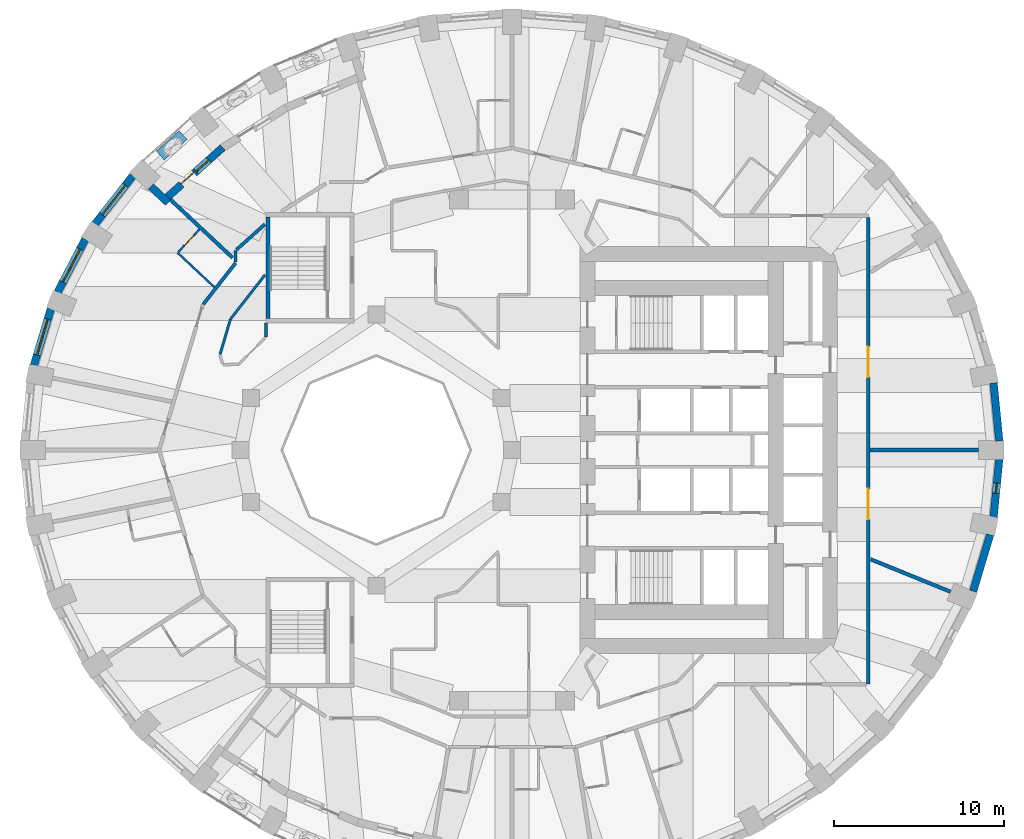
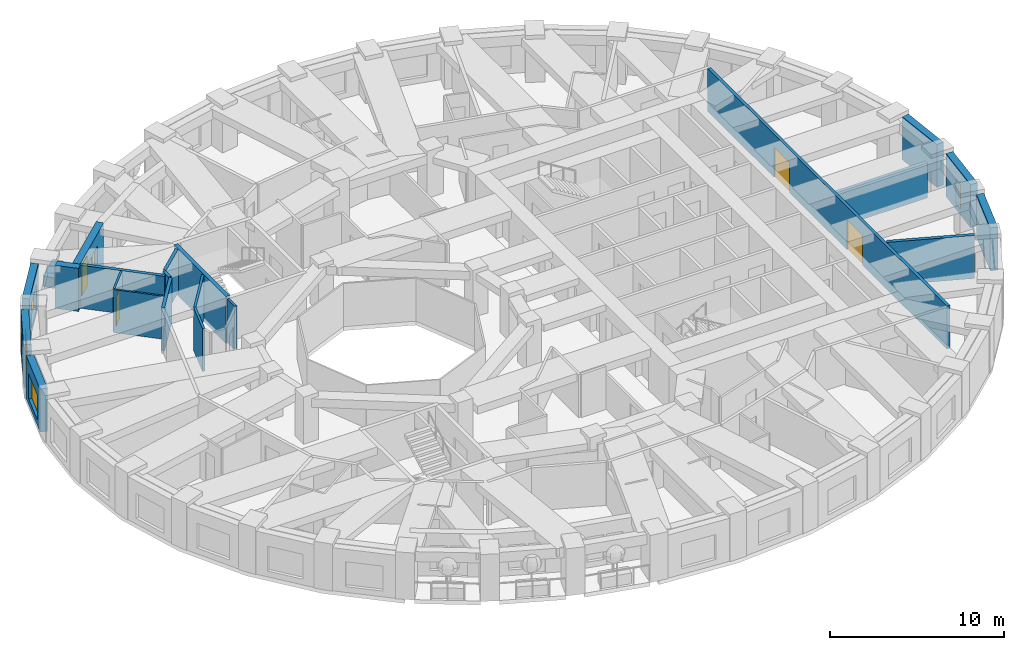
# One storey, part 7 of 13: 22 walls, 5 windows, 4 doors, 9 openings.
"""IFC4 building model written with IfcOpenShell, lengths in metres."""

import ifcopenshell
import ifcopenshell.guid

model = None  # the IFC model being written
_history = None  # IfcOwnerHistory: only IFC2X3 demands one
_inside = {}  # id of a spatial element -> (the spatial element, [elements in it])
_under = {}  # id of a project, library or spatial element -> (it, [spatial elements below it])
_declared = {}  # id of a project -> (the project, [libraries it declares])
_typed = {}  # id of a type object -> (the type object, [elements of that type])
_made_of = {}  # id of a material, layer set ... -> (it, [elements and type objects made of it])


def new_model(schema):
    """Start an empty IFC model of exactly this schema.

    Asked for "IFC4X3", IfcOpenShell would pick the latest addendum, in which some entities
    have other attributes; the version numbers below select the first issue.
    IFC2X3 requires an IfcOwnerHistory on every rooted entity: one is made here for all.
    """
    global model, _history
    if schema == "IFC4X3":
        model = ifcopenshell.file(schema_version=(4, 3, 0, 0))
    else:
        model = ifcopenshell.file(schema=schema)
    _inside.clear()
    _under.clear()
    _declared.clear()
    _typed.clear()
    _made_of.clear()
    _history = None
    if model.schema == "IFC2X3":
        org = make("IfcOrganization", Name="unknown")
        user = make(
            "IfcPersonAndOrganization",
            ThePerson=make("IfcPerson", FamilyName="unknown"),
            TheOrganization=org,
        )
        app = make(
            "IfcApplication",
            ApplicationDeveloper=org,
            Version="unknown",
            ApplicationFullName="unknown",
            ApplicationIdentifier="unknown",
        )
        _history = make(
            "IfcOwnerHistory",
            OwningUser=user,
            OwningApplication=app,
            ChangeAction="ADDED",
            CreationDate=0,
        )
    return model


def make(cls, **values):
    """One entity of the class cls with the attributes given. An attribute that is None is left unset."""
    return model.create_entity(
        cls, **{name: value for name, value in values.items() if value is not None}
    )


def rooted(cls, **values):
    """An entity with a GlobalId (a new one), such as an element, a storey or a relation."""
    return make(cls, GlobalId=ifcopenshell.guid.new(), OwnerHistory=_history, **values)


def si_unit(unit_type, name, prefix=None):
    """IfcSIUnit, for example si_unit("LENGTHUNIT", "METRE", prefix="MILLI")."""
    return make("IfcSIUnit", UnitType=unit_type, Prefix=prefix, Name=name)


def assignment(units):
    """IfcUnitAssignment: the units of a project."""
    return None if units is None else make("IfcUnitAssignment", Units=units)


def point(xyz):
    """IfcCartesianPoint."""
    return None if xyz is None else make("IfcCartesianPoint", Coordinates=xyz)


def direction(xyz):
    """IfcDirection."""
    return None if xyz is None else make("IfcDirection", DirectionRatios=xyz)


def frame(location, z_axis=None, x_axis=None):
    """IfcAxis2Placement3D, a coordinate frame: its origin and axes. An axis left out is left unset."""
    return make(
        "IfcAxis2Placement3D",
        Location=point(location),
        Axis=direction(z_axis),
        RefDirection=direction(x_axis),
    )


def frame_2d(location, x_axis=None):
    """IfcAxis2Placement2D, a coordinate frame in the plane: its origin and x axis."""
    return make(
        "IfcAxis2Placement2D", Location=point(location), RefDirection=direction(x_axis)
    )


def origin():
    """The frame at (0, 0, 0) with its axes left unset."""
    return frame((0.0, 0.0, 0.0))


def place(relative_to, where):
    """IfcLocalPlacement: puts the frame where relative to a parent placement (None: the world)."""
    return make(
        "IfcLocalPlacement", PlacementRelTo=relative_to, RelativePlacement=where
    )


def context(
    kind, dimensions, precision=None, world=None, true_north=None, identifier=None
):
    """IfcGeometricRepresentationContext, for example the 3D "Model" context."""
    return make(
        "IfcGeometricRepresentationContext",
        ContextIdentifier=identifier,
        ContextType=kind,
        CoordinateSpaceDimension=dimensions,
        Precision=precision,
        WorldCoordinateSystem=world,
        TrueNorth=true_north,
    )


def subcontext(parent, identifier, kind, view, scale=None):
    """IfcGeometricRepresentationSubContext, for example "Body" below "Model"."""
    return make(
        "IfcGeometricRepresentationSubContext",
        ContextIdentifier=identifier,
        ContextType=kind,
        ParentContext=parent,
        TargetScale=scale,
        TargetView=view,
    )


def project(units=None, contexts=None):
    """IfcProject with its units and contexts."""
    return rooted(
        "IfcProject",
        Name="project",
        RepresentationContexts=contexts,
        UnitsInContext=assignment(units),
    )


def spatial(cls, under=None, at=None, **own):
    """A site, building, storey or space (cls), placed at a placement, below another one or the project."""
    s = rooted(cls, ObjectPlacement=at, **own)
    if under is not None:
        _under.setdefault(under.id(), (under, []))[1].append(s)
    return s


def profile(cls, at=None, kind="AREA", **sizes):
    """A parametric profile (cls). Its sizes go by their IFC names, for example OverallWidth=200.0."""
    return make(cls, ProfileType=kind, Position=at, **sizes)


def rectangle(**sizes):
    """IfcRectangleProfileDef."""
    return profile("IfcRectangleProfileDef", **sizes)


def extrude(swept, where, along, depth):
    """IfcExtrudedAreaSolid: the profile swept, set in the frame where, extruded along a direction by depth."""
    return make(
        "IfcExtrudedAreaSolid",
        SweptArea=swept,
        Position=where,
        ExtrudedDirection=direction(along),
        Depth=depth,
    )


def shape(context_of_items, identifier, shape_type, items):
    """IfcShapeRepresentation: the items that make up one representation, for example the "Body"."""
    return make(
        "IfcShapeRepresentation",
        ContextOfItems=context_of_items,
        RepresentationIdentifier=identifier,
        RepresentationType=shape_type,
        Items=items,
    )


def material(Name=None, Category=None):
    """IfcMaterial."""
    return make("IfcMaterial", Name=Name, Category=Category)


def layer(
    of_material, thickness, ventilated=None, Name=None, Category=None, Priority=None
):
    """IfcMaterialLayer: one layer of a wall or slab, of a material (None: an air gap)."""
    return make(
        "IfcMaterialLayer",
        Material=of_material,
        LayerThickness=thickness,
        IsVentilated=ventilated,
        Name=Name,
        Category=Category,
        Priority=Priority,
    )


def layer_set(layers, Name=None):
    """IfcMaterialLayerSet."""
    return make("IfcMaterialLayerSet", MaterialLayers=layers, LayerSetName=Name)


def constituent(of_material, Name=None, Category=None, fraction=None):
    """IfcMaterialConstituent: one of the materials an element consists of."""
    return make(
        "IfcMaterialConstituent",
        Name=Name,
        Material=of_material,
        Fraction=fraction,
        Category=Category,
    )


def constituent_set(constituents=None, Name=None):
    """IfcMaterialConstituentSet."""
    return make(
        "IfcMaterialConstituentSet", Name=Name, MaterialConstituents=constituents
    )


def made_of(thing, what):
    """Note that an element or type object is made of a material, layer set ...; save() writes the relation."""
    if what is not None:
        _made_of.setdefault(what.id(), (what, []))[1].append(thing)
    return thing


def type_object(cls, material=None, **own):
    """A type object (cls), such as IfcWallType, which elements share."""
    return made_of(rooted(cls, **own), material)


def element(
    cls,
    number,
    at=None,
    inside=None,
    cuts=None,
    type_object=None,
    material=None,
    context=None,
    identifier="Body",
    shape_type=None,
    held_by="IfcProductDefinitionShape",
    body=None,
    shapes=None,
    **own,
):
    """One element of the class cls, such as IfcWall. Its Tag is "e" and its number.

    at: its placement. inside: the storey or other place that contains it. cuts: it is an
    opening in that element (IfcRelVoidsElement). A single representation is given by context,
    identifier, shape_type and body (its items); several are given by shapes. held_by: the class
    of the entity that holds the representations. save() writes the other relations.
    """
    e = rooted(cls, Tag="e%d" % number, ObjectPlacement=at, **own)
    if body is not None:
        shapes = [shape(context, identifier, shape_type, body)]
    if shapes is not None:
        e.Representation = make(held_by, Representations=shapes)
    if inside is not None:
        _inside.setdefault(inside.id(), (inside, []))[1].append(e)
    if cuts is not None:
        rooted(
            "IfcRelVoidsElement", RelatingBuildingElement=cuts, RelatedOpeningElement=e
        )
    if type_object is not None:
        _typed.setdefault(type_object.id(), (type_object, []))[1].append(e)
    return made_of(e, material)


def fill(opening, filler):
    """IfcRelFillsElement: the door or window that sits in an opening."""
    return rooted(
        "IfcRelFillsElement",
        RelatingOpeningElement=opening,
        RelatedBuildingElement=filler,
    )


def aggregate(whole, parts):
    """IfcRelAggregates: a whole, such as a stair, and the parts it consists of."""
    return rooted("IfcRelAggregates", RelatingObject=whole, RelatedObjects=parts)


def save(model, path):
    """Write the relations noted so far, then the file.

    IfcRelAggregates (storeys below a building ...), IfcRelContainedInSpatialStructure (elements
    in a storey), IfcRelDefinesByType, IfcRelAssociatesMaterial and IfcRelDeclares: one each for
    every whole, place, type object, material and project.
    """
    for whole, parts in _under.values():
        aggregate(whole, parts)
    for where, things in _inside.values():
        rooted(
            "IfcRelContainedInSpatialStructure",
            RelatedElements=things,
            RelatingStructure=where,
        )
    for kind, things in _typed.values():
        rooted("IfcRelDefinesByType", RelatedObjects=things, RelatingType=kind)
    for what, things in _made_of.values():
        rooted("IfcRelAssociatesMaterial", RelatedObjects=things, RelatingMaterial=what)
    for by, libraries in _declared.values():
        rooted("IfcRelDeclares", RelatingContext=by, RelatedDefinitions=libraries)
    model.write(path)


model = new_model("IFC4")

# Units and contexts
model_context = context("Model", 3, precision=1e-05, world=origin(), true_north=direction((0.0, 1.0)))
body_context = subcontext(model_context, "Body", "Model", "MODEL_VIEW")
ifc_project = project(units=[si_unit("LENGTHUNIT", "METRE"), si_unit("AREAUNIT", "SQUARE_METRE"), si_unit("VOLUMEUNIT", "CUBIC_METRE"), si_unit("PLANEANGLEUNIT", "RADIAN"), si_unit("MASSUNIT", "GRAM", prefix="KILO")], contexts=[model_context])

# Site, building, storey
site_placement = place(None, origin())
site = spatial("IfcSite", under=ifc_project, at=site_placement, CompositionType="ELEMENT")
building_placement = place(site_placement, origin())
building = spatial("IfcBuilding", under=site, at=building_placement, Name="Taillehof Tower", CompositionType="ELEMENT")
storey_placement = place(building_placement, frame((0.0, 0.0, 41.5)))
storey = spatial("IfcBuildingStorey", under=building, at=storey_placement, Name="L10", CompositionType="ELEMENT", Elevation=41.5)

# Wall
ifc_material_1 = material(Name="Brick masonry", Category="masonry")
ifc_layer_1 = layer(ifc_material_1, 0.449951171875)
ifc_layer_set_1 = layer_set([ifc_layer_1], Name="Brick infill wall 450")
wall_type_1 = type_object("IfcWallType", Name="Brick infill wall 450", PredefinedType="SOLIDWALL", material=ifc_layer_set_1)
wall_1_placement = place(storey_placement, frame((28.721923828125, 0.530029296875, 0.0), z_axis=(0.0, 0.0, 1.0), x_axis=(-0.097389581596, 0.995246336038, 0.0)))
element("IfcWall", 1, at=wall_1_placement, inside=storey, type_object=wall_type_1, Name="Brick wall L10 bay 1", PredefinedType="SOLIDWALL", context=body_context, shape_type="SweptSolid", body=[
    extrude(rectangle(XDim=3.44189453125, YDim=0.449951171875, at=frame_2d((1.720947265625, 0.0))), origin(), (0.0, 0.0, 1.0), 3.02001953125),
])

# Wall, opening, window
wall_2_placement = place(storey_placement, frame((-22.3515625, 16.169677734375, 0.0), z_axis=(0.0, 0.0, 1.0), x_axis=(-0.616661975264, -0.787228053529, 0.0)))
wall_2 = element("IfcWall", 2, at=wall_2_placement, inside=storey, type_object=wall_type_1, Name="Brick wall L10 bay 15", PredefinedType="SOLIDWALL", context=body_context, shape_type="SweptSolid", body=[
    extrude(rectangle(XDim=3.60986328125, YDim=0.449951171875, at=frame_2d((1.804931640625, 0.0))), origin(), (0.0, 0.0, 1.0), 3.02001953125),
])
opening_1_placement = place(wall_2_placement, frame((0.704833984375, 0.0, 0.39990234375)))
opening_1 = element("IfcOpeningElement", 3, at=opening_1_placement, cuts=wall_2, Name="Opening W1", PredefinedType="OPENING", context=body_context, shape_type="SweptSolid", body=[
    extrude(rectangle(XDim=2.199951171875, YDim=1.75, at=frame_2d((1.10009765625, 0.875))), frame((0.0, 0.23486328125, 0.0), z_axis=(0.0, -1.0, 0.0), x_axis=(1.0, 0.0, 0.0)), (0.0, 0.0, 1.0), 0.469970703125),
])
ifc_material_2 = material(Name="Aluminium window frame with clear double glazing", Category="aluminium")
window_type_1 = type_object("IfcWindowType", Name="Deep-set window 2200x1750", PartitioningType="SINGLE_PANEL", PredefinedType="WINDOW", material=ifc_material_2)
window_1_placement = place(opening_1_placement, origin())
window_1 = element("IfcWindow", 4, at=window_1_placement, inside=storey, type_object=window_type_1, Name="W1", OverallHeight=1.75, OverallWidth=2.199951171875, PartitioningType="SINGLE_PANEL", PredefinedType="WINDOW", context=body_context, shape_type="SweptSolid", body=[
    extrude(rectangle(XDim=2.199951171875, YDim=1.75, at=frame_2d((1.10009765625, 0.875))), frame((0.0, 0.034912109375, 0.0), z_axis=(0.0, -1.0, 0.0), x_axis=(1.0, 0.0, 0.0)), (0.0, 0.0, 1.0), 0.06005859375),
])
fill(opening_1, window_1)

wall_3_placement = place(storey_placement, frame((-25.152099609375, 12.436767578125, 0.0), z_axis=(0.0, 0.0, 1.0), x_axis=(-0.462492775226, -0.886623050041, 0.0)))
wall_3 = element("IfcWall", 5, at=wall_3_placement, inside=storey, type_object=wall_type_1, Name="Brick wall L10 bay 16", PredefinedType="SOLIDWALL", context=body_context, shape_type="SweptSolid", body=[
    extrude(rectangle(XDim=3.531982421875, YDim=0.449951171875, at=frame_2d((1.76611328125, 0.0))), origin(), (0.0, 0.0, 1.0), 3.02001953125),
])
opening_2_placement = place(wall_3_placement, frame((0.666015625, 0.0, 0.39990234375)))
opening_2 = element("IfcOpeningElement", 6, at=opening_2_placement, cuts=wall_3, Name="Opening W1", PredefinedType="OPENING", context=body_context, shape_type="SweptSolid", body=[
    extrude(rectangle(XDim=2.199951171875, YDim=1.75, at=frame_2d((1.10009765625, 0.875))), frame((0.0, 0.23486328125, 0.0), z_axis=(0.0, -1.0, 0.0), x_axis=(1.0, 0.0, 0.0)), (0.0, 0.0, 1.0), 0.469970703125),
])
window_2_placement = place(opening_2_placement, origin())
window_2 = element("IfcWindow", 7, at=window_2_placement, inside=storey, type_object=window_type_1, Name="W1", OverallHeight=1.75, OverallWidth=2.199951171875, PartitioningType="SINGLE_PANEL", PredefinedType="WINDOW", context=body_context, shape_type="SweptSolid", body=[
    extrude(rectangle(XDim=2.199951171875, YDim=1.75, at=frame_2d((1.10009765625, 0.875))), frame((0.0, 0.034912109375, 0.0), z_axis=(0.0, -1.0, 0.0), x_axis=(1.0, 0.0, 0.0)), (0.0, 0.0, 1.0), 0.06005859375),
])
fill(opening_2, window_2)

wall_4_placement = place(storey_placement, frame((-27.184814453125, 8.322998046875, 0.0), z_axis=(0.0, 0.0, 1.0), x_axis=(-0.287064133733, -0.957911364963, 0.0)))
wall_4 = element("IfcWall", 8, at=wall_4_placement, inside=storey, type_object=wall_type_1, Name="Brick wall L10 bay 17", PredefinedType="SOLIDWALL", context=body_context, shape_type="SweptSolid", body=[
    extrude(rectangle(XDim=3.473388671875, YDim=0.449951171875, at=frame_2d((1.73681640625, 0.0))), origin(), (0.0, 0.0, 1.0), 3.02001953125),
])
opening_3_placement = place(wall_4_placement, frame((0.63671875, 0.0, 0.39990234375)))
opening_3 = element("IfcOpeningElement", 9, at=opening_3_placement, cuts=wall_4, Name="Opening W1", PredefinedType="OPENING", context=body_context, shape_type="SweptSolid", body=[
    extrude(rectangle(XDim=2.199951171875, YDim=1.75, at=frame_2d((1.10009765625, 0.875))), frame((0.0, 0.23486328125, 0.0), z_axis=(0.0, -1.0, 0.0), x_axis=(1.0, 0.0, 0.0)), (0.0, 0.0, 1.0), 0.469970703125),
])
window_3_placement = place(opening_3_placement, origin())
window_3 = element("IfcWindow", 10, at=window_3_placement, inside=storey, type_object=window_type_1, Name="W1", OverallHeight=1.75, OverallWidth=2.199951171875, PartitioningType="SINGLE_PANEL", PredefinedType="WINDOW", context=body_context, shape_type="SweptSolid", body=[
    extrude(rectangle(XDim=2.199951171875, YDim=1.75, at=frame_2d((1.10009765625, 0.875))), frame((0.0, 0.034912109375, 0.0), z_axis=(0.0, -1.0, 0.0), x_axis=(1.0, 0.0, 0.0)), (0.0, 0.0, 1.0), 0.06005859375),
])
fill(opening_3, window_3)

# Wall
wall_5_placement = place(storey_placement, frame((27.184814453125, -8.322998046875, 0.0), z_axis=(0.0, 0.0, 1.0), x_axis=(0.287064133733, 0.957911364963, 0.0)))
element("IfcWall", 11, at=wall_5_placement, inside=storey, type_object=wall_type_1, Name="Brick wall L10 bay 35", PredefinedType="SOLIDWALL", context=body_context, shape_type="SweptSolid", body=[
    extrude(rectangle(XDim=3.473388671875, YDim=0.449951171875, at=frame_2d((1.73681640625, 0.0))), origin(), (0.0, 0.0, 1.0), 3.02001953125),
])

# Wall, opening, window
wall_6_placement = place(storey_placement, frame((28.38671875, -3.95556640625, 0.0), z_axis=(0.0, 0.0, 1.0), x_axis=(0.097389581596, 0.995246336038, 0.0)))
wall_6 = element("IfcWall", 12, at=wall_6_placement, inside=storey, type_object=wall_type_1, Name="Brick wall L10 bay 36", PredefinedType="SOLIDWALL", context=body_context, shape_type="SweptSolid", body=[
    extrude(rectangle(XDim=3.44189453125, YDim=0.449951171875, at=frame_2d((1.720947265625, 0.0))), origin(), (0.0, 0.0, 1.0), 3.02001953125),
])
opening_4_placement = place(wall_6_placement, frame((1.4208984375, 0.0, 0.39990234375)))
opening_4 = element("IfcOpeningElement", 13, at=opening_4_placement, cuts=wall_6, Name="Opening W6", PredefinedType="OPENING", context=body_context, shape_type="SweptSolid", body=[
    extrude(rectangle(XDim=0.60009765625, YDim=1.75, at=frame_2d((0.300048828125, 0.875))), frame((0.0, 0.23486328125, 0.0), z_axis=(0.0, -1.0, 0.0), x_axis=(1.0, 0.0, 0.0)), (0.0, 0.0, 1.0), 0.469970703125),
])
ifc_material_3 = material(Name="Aluminium window frame with clear double glazing", Category="aluminium")
window_type_2 = type_object("IfcWindowType", Name="Slot window 600x1750", PartitioningType="SINGLE_PANEL", PredefinedType="WINDOW", material=ifc_material_3)
window_4_placement = place(opening_4_placement, origin())
window_4 = element("IfcWindow", 14, at=window_4_placement, inside=storey, type_object=window_type_2, Name="W6", OverallHeight=1.75, OverallWidth=0.60009765625, PartitioningType="SINGLE_PANEL", PredefinedType="WINDOW", context=body_context, shape_type="SweptSolid", body=[
    extrude(rectangle(XDim=0.60009765625, YDim=1.75, at=frame_2d((0.300048828125, 0.875))), frame((0.0, 0.034912109375, 0.0), z_axis=(0.0, -1.0, 0.0), x_axis=(1.0, 0.0, 0.0)), (0.0, 0.0, 1.0), 0.06005859375),
])
fill(opening_4, window_4)

# Wall
wall_7_placement = place(storey_placement, frame((-21.289306640625, 15.53759765625, 0.0), z_axis=(0.0, 0.0, 1.0), x_axis=(0.730149942784, -0.683286953668, 0.0)))
element("IfcWall", 15, at=wall_7_placement, inside=storey, type_object=wall_type_1, Name="Brick reveal L10 pocket 3", PredefinedType="SOLIDWALL", context=body_context, shape_type="SweptSolid", body=[
    extrude(rectangle(XDim=1.390869140625, YDim=0.449951171875, at=frame_2d((0.6953125, 0.0))), origin(), (0.0, 0.0, 1.0), 3.02001953125),
])

# Wall, openings, door, window
wall_8_placement = place(storey_placement, frame((-17.0478515625, 17.831787109375, 0.0), z_axis=(0.0, 0.0, 1.0), x_axis=(-0.744619286768, -0.667489413978, 0.0)))
wall_8 = element("IfcWall", 16, at=wall_8_placement, inside=storey, type_object=wall_type_1, Name="Brick wall L10 pocket bay 14", PredefinedType="SOLIDWALL", context=body_context, shape_type="SweptSolid", body=[
    extrude(rectangle(XDim=4.364990234375, YDim=0.449951171875, at=frame_2d((2.1826171875, 0.0))), origin(), (0.0, 0.0, 1.0), 3.02001953125),
])
opening_5_placement = place(wall_8_placement, frame((1.107421875, 0.0, 0.39990234375)))
opening_5 = element("IfcOpeningElement", 17, at=opening_5_placement, cuts=wall_8, Name="Opening W5", PredefinedType="OPENING", context=body_context, shape_type="SweptSolid", body=[
    extrude(rectangle(XDim=1.0, YDim=1.75, at=frame_2d((0.5, 0.875))), frame((0.0, 0.23486328125, 0.0), z_axis=(0.0, -1.0, 0.0), x_axis=(1.0, 0.0, 0.0)), (0.0, 0.0, 1.0), 0.469970703125),
])
opening_6_placement = place(wall_8_placement, frame((2.257568359375, 0.0, 0.0)))
opening_6 = element("IfcOpeningElement", 18, at=opening_6_placement, cuts=wall_8, Name="Opening D1096", PredefinedType="OPENING", context=body_context, shape_type="SweptSolid", body=[
    extrude(rectangle(XDim=1.0, YDim=2.14990234375, at=frame_2d((0.5, 1.074951171875))), frame((0.0, 0.23486328125, 0.0), z_axis=(0.0, -1.0, 0.0), x_axis=(1.0, 0.0, 0.0)), (0.0, 0.0, 1.0), 0.469970703125),
])
ifc_material_4 = material(Name="Aluminium door frame with clear double glazing", Category="aluminium")
door_type_1 = type_object("IfcDoorType", Name="Balcony door 1000x2150", OperationType="SINGLE_SWING_RIGHT", PredefinedType="DOOR", material=ifc_material_4)
door_1_placement = place(opening_6_placement, frame((1.0, 0.0, 0.0), z_axis=(0.0, 0.0, 1.0), x_axis=(-1.0, 0.0, 0.0)))
door_1 = element("IfcDoor", 19, at=door_1_placement, inside=storey, type_object=door_type_1, Name="Balcony door L10 bay 14", OperationType="SINGLE_SWING_LEFT", OverallHeight=2.14990234375, OverallWidth=1.0, PredefinedType="DOOR", context=body_context, shape_type="SweptSolid", body=[
    extrude(rectangle(XDim=1.0, YDim=2.14990234375, at=frame_2d((0.5, 1.074951171875))), frame((0.0, 0.0751953125, 0.0), z_axis=(0.0, -1.0, 0.0), x_axis=(1.0, 0.0, 0.0)), (0.0, 0.0, 1.0), 0.050048828125),
])
fill(opening_6, door_1)
ifc_material_5 = material(Name="Aluminium window frame with clear double glazing", Category="aluminium")
window_type_3 = type_object("IfcWindowType", Name="Fixed window 1000x1750", PartitioningType="SINGLE_PANEL", PredefinedType="WINDOW", material=ifc_material_5)
window_5_placement = place(opening_5_placement, origin())
window_5 = element("IfcWindow", 20, at=window_5_placement, inside=storey, type_object=window_type_3, Name="W5", OverallHeight=1.75, OverallWidth=1.0, PartitioningType="SINGLE_PANEL", PredefinedType="WINDOW", context=body_context, shape_type="SweptSolid", body=[
    extrude(rectangle(XDim=1.0, YDim=1.75, at=frame_2d((0.5, 0.875))), frame((0.0, 0.034912109375, 0.0), z_axis=(0.0, -1.0, 0.0), x_axis=(1.0, 0.0, 0.0)), (0.0, 0.0, 1.0), 0.06005859375),
])
fill(opening_5, window_5)

# Walls
ifc_material_6 = material(Name="Gypsum board on steel studs, two layers each side", Category="steel")
ifc_layer_2 = layer(ifc_material_6, 0.199951171875)
ifc_layer_set_2 = layer_set([ifc_layer_2], Name="Compartment wall corridor 200")
wall_type_2 = type_object("IfcWallType", Name="Compartment wall corridor 200", PredefinedType="PARTITIONING", material=ifc_layer_set_2)
wall_9_placement = place(storey_placement, frame((-18.196044921875, 8.592041015625, 0.0), z_axis=(0.0, 0.0, 1.0), x_axis=(0.615854849191, 0.787859635168, 0.0)))
element("IfcWall", 21, at=wall_9_placement, inside=storey, type_object=wall_type_2, Name="Compartment wall", PredefinedType="PARTITIONING", context=body_context, shape_type="SweptSolid", body=[
    extrude(rectangle(XDim=3.07861328125, YDim=0.199951171875, at=frame_2d((1.539306640625, 0.0))), origin(), (0.0, 0.0, 1.0), 3.02001953125),
])
wall_10_placement = place(storey_placement, frame((-16.300048828125, 11.07763671875, 0.0), z_axis=(0.0, 0.0, 1.0), x_axis=(0.0, 1.0, 0.0)))
element("IfcWall", 22, at=wall_10_placement, inside=storey, type_object=wall_type_2, Name="Compartment wall", PredefinedType="PARTITIONING", context=body_context, shape_type="SweptSolid", body=[
    extrude(rectangle(XDim=0.676025390625, YDim=0.199951171875, at=frame_2d((0.337890625, 0.0))), origin(), (0.0, 0.0, 1.0), 3.02001953125),
])
wall_11_placement = place(storey_placement, frame((-16.240478515625, 11.807373046875, 0.0), z_axis=(0.0, 0.0, 1.0), x_axis=(0.744658399013, 0.667445779655, 0.0)))
element("IfcWall", 23, at=wall_11_placement, inside=storey, type_object=wall_type_2, Name="Compartment wall", PredefinedType="PARTITIONING", context=body_context, shape_type="SweptSolid", body=[
    extrude(rectangle(XDim=2.257568359375, YDim=0.199951171875, at=frame_2d((1.12890625, 0.0))), origin(), (0.0, 0.0, 1.0), 3.02001953125),
])

# Wall, openings, doors
wall_12_placement = place(storey_placement, frame((21.0, 13.699951171875, 0.0), z_axis=(0.0, 0.0, 1.0), x_axis=(0.0, -1.0, 0.0)))
wall_12 = element("IfcWall", 24, at=wall_12_placement, inside=storey, type_object=wall_type_2, Name="Compartment wall", PredefinedType="PARTITIONING", context=body_context, shape_type="SweptSolid", body=[
    extrude(rectangle(XDim=27.5, YDim=0.199951171875, at=frame_2d((13.75, 0.0))), origin(), (0.0, 0.0, 1.0), 3.02001953125),
])
opening_7_placement = place(wall_12_placement, frame((15.992431640625, 0.0, 0.0)))
opening_7 = element("IfcOpeningElement", 25, at=opening_7_placement, cuts=wall_12, Name="Opening D1067", PredefinedType="OPENING", context=body_context, shape_type="SweptSolid", body=[
    extrude(rectangle(XDim=1.800048828125, YDim=2.10009765625, at=frame_2d((0.89990234375, 1.050048828125))), frame((0.0, 0.10986328125, 0.0), z_axis=(0.0, -1.0, 0.0), x_axis=(1.0, 0.0, 0.0)), (0.0, 0.0, 1.0), 0.219970703125),
])
opening_8_placement = place(wall_12_placement, frame((7.602294921875, 0.0, 0.0)))
opening_8 = element("IfcOpeningElement", 26, at=opening_8_placement, cuts=wall_12, Name="Opening D1068", PredefinedType="OPENING", context=body_context, shape_type="SweptSolid", body=[
    extrude(rectangle(XDim=1.800048828125, YDim=2.10009765625, at=frame_2d((0.89990234375, 1.050048828125))), frame((0.0, 0.10986328125, 0.0), z_axis=(0.0, -1.0, 0.0), x_axis=(1.0, 0.0, 0.0)), (0.0, 0.0, 1.0), 0.219970703125),
])
ifc_material_7 = material(Name="Timber door leaf in steel frame", Category="steel")
door_type_2 = type_object("IfcDoorType", Name="Lounge and meeting room double door EI 30 1800 x 2100", OperationType="SINGLE_SWING_LEFT", PredefinedType="DOOR", material=ifc_material_7)
door_2_placement = place(opening_7_placement, origin())
door_2 = element("IfcDoor", 27, at=door_2_placement, inside=storey, type_object=door_type_2, Name="D1067", OperationType="DOUBLE_DOOR_SINGLE_SWING", OverallHeight=2.10009765625, OverallWidth=1.800048828125, PredefinedType="DOOR", context=body_context, shape_type="SweptSolid", body=[
    extrude(rectangle(XDim=1.800048828125, YDim=2.10009765625, at=frame_2d((0.89990234375, 1.050048828125))), frame((0.0, 0.02490234375, 0.0), z_axis=(0.0, -1.0, 0.0), x_axis=(1.0, 0.0, 0.0)), (0.0, 0.0, 1.0), 0.050048828125),
])
fill(opening_7, door_2)
door_3_placement = place(opening_8_placement, origin())
door_3 = element("IfcDoor", 28, at=door_3_placement, inside=storey, type_object=door_type_2, Name="D1068", OperationType="DOUBLE_DOOR_SINGLE_SWING", OverallHeight=2.10009765625, OverallWidth=1.800048828125, PredefinedType="DOOR", context=body_context, shape_type="SweptSolid", body=[
    extrude(rectangle(XDim=1.800048828125, YDim=2.10009765625, at=frame_2d((0.89990234375, 1.050048828125))), frame((0.0, 0.02490234375, 0.0), z_axis=(0.0, -1.0, 0.0), x_axis=(1.0, 0.0, 0.0)), (0.0, 0.0, 1.0), 0.050048828125),
])
fill(opening_8, door_3)

# Walls
ifc_material_8 = material(Name="Gypsum board on double steel studs with mineral wool", Category="steel")
ifc_layer_3 = layer(ifc_material_8, 0.219970703125)
ifc_layer_set_3 = layer_set([ifc_layer_3], Name="Compartment wall guest room 220")
wall_type_3 = type_object("IfcWallType", Name="Compartment wall guest room 220", PredefinedType="PARTITIONING", material=ifc_layer_set_3)
wall_13_placement = place(storey_placement, frame((27.5, 0.0, 0.0), z_axis=(0.0, 0.0, 1.0), x_axis=(-1.0, 0.0, 0.0)))
element("IfcWall", 29, at=wall_13_placement, inside=storey, type_object=wall_type_3, Name="Compartment wall", PredefinedType="PARTITIONING", context=body_context, shape_type="SweptSolid", body=[
    extrude(rectangle(XDim=6.39990234375, YDim=0.219970703125, at=frame_2d((3.199951171875, 0.0))), origin(), (0.0, 0.0, 1.0), 2.469970703125),
])
wall_14_placement = place(storey_placement, frame((-20.13330078125, 14.763916015625, 0.0), z_axis=(0.0, 0.0, 1.0), x_axis=(0.73007309337, -0.683369064516, 0.0)))
element("IfcWall", 30, at=wall_14_placement, inside=storey, type_object=wall_type_3, Name="Compartment wall", PredefinedType="PARTITIONING", context=body_context, shape_type="SweptSolid", body=[
    extrude(rectangle(XDim=5.01318359375, YDim=0.219970703125, at=frame_2d((2.506591796875, 0.0))), origin(), (0.0, 0.0, 1.0), 3.02001953125),
])
wall_15_placement = place(storey_placement, frame((25.851318359375, -8.35400390625, 0.0), z_axis=(0.0, 0.0, 1.0), x_axis=(-0.926538195631, 0.376200707118, 0.0)))
element("IfcWall", 31, at=wall_15_placement, inside=storey, type_object=wall_type_3, Name="Compartment wall", PredefinedType="PARTITIONING", context=body_context, shape_type="SweptSolid", body=[
    extrude(rectangle(XDim=5.087890625, YDim=0.219970703125, at=frame_2d((2.5439453125, 0.0))), origin(), (0.0, 0.0, 1.0), 3.02001953125),
])
ifc_material_9 = material(Name="Gypsum board on steel studs, two layers each side", Category="steel")
ifc_layer_4 = layer(ifc_material_9, 0.14990234375)
ifc_layer_set_4 = layer_set([ifc_layer_4], Name="Compartment wall service room 150")
wall_type_4 = type_object("IfcWallType", Name="Compartment wall service room 150", PredefinedType="PARTITIONING", material=ifc_layer_set_4)
wall_16_placement = place(storey_placement, frame((-14.5, 7.5009765625, 0.0), z_axis=(0.0, 0.0, 1.0), x_axis=(0.0, -1.0, 0.0)))
element("IfcWall", 32, at=wall_16_placement, inside=storey, type_object=wall_type_4, Name="Compartment wall", PredefinedType="PARTITIONING", context=body_context, shape_type="SweptSolid", body=[
    extrude(rectangle(XDim=0.848876953125, YDim=0.14990234375, at=frame_2d((0.42431640625, 0.0))), origin(), (0.0, 0.0, 1.0), 3.02001953125),
])
wall_17_placement = place(storey_placement, frame((-17.2060546875, 5.64453125, 0.0), z_axis=(0.0, 0.0, 1.0), x_axis=(0.282930600638, 0.95914038348, 0.0)))
element("IfcWall", 33, at=wall_17_placement, inside=storey, type_object=wall_type_4, Name="Compartment wall", PredefinedType="PARTITIONING", context=body_context, shape_type="SweptSolid", body=[
    extrude(rectangle(XDim=2.16162109375, YDim=0.14990234375, at=frame_2d((1.080810546875, 0.0))), origin(), (0.0, 0.0, 1.0), 3.02001953125),
])
wall_18_placement = place(storey_placement, frame((-16.582275390625, 7.733642578125, 0.0), z_axis=(0.0, 0.0, 1.0), x_axis=(0.615848335932, 0.787864726416, 0.0)))
element("IfcWall", 34, at=wall_18_placement, inside=storey, type_object=wall_type_4, Name="Compartment wall", PredefinedType="PARTITIONING", context=body_context, shape_type="SweptSolid", body=[
    extrude(rectangle(XDim=3.292724609375, YDim=0.14990234375, at=frame_2d((1.646484375, 0.0))), origin(), (0.0, 0.0, 1.0), 3.02001953125),
])
ifc_material_10 = material(Name="Gypsum board on steel studs, moisture resistant", Category="steel")
ifc_layer_5 = layer(ifc_material_10, 0.1201171875)
ifc_layer_set_5 = layer_set([ifc_layer_5], Name="En-suite wall 120")
wall_type_5 = type_object("IfcWallType", Name="En-suite wall 120", PredefinedType="PARTITIONING", material=ifc_layer_set_5)
wall_19_placement = place(storey_placement, frame((-17.5380859375, 9.595703125, 0.0), z_axis=(0.0, 0.0, 1.0), x_axis=(-0.730099766179, 0.683340567671, 0.0)))
element("IfcWall", 35, at=wall_19_placement, inside=storey, type_object=wall_type_5, Name="En-suite wall", PredefinedType="PARTITIONING", context=body_context, shape_type="SweptSolid", body=[
    extrude(rectangle(XDim=2.97607421875, YDim=0.1201171875, at=frame_2d((1.488037109375, 0.0))), origin(), (0.0, 0.0, 1.0), 3.02001953125),
])

# Wall, opening, door
wall_20_placement = place(storey_placement, frame((-19.669921875, 11.67333984375, 0.0), z_axis=(0.0, 0.0, 1.0), x_axis=(0.683372850006, 0.730069550026, 0.0)))
wall_20 = element("IfcWall", 36, at=wall_20_placement, inside=storey, type_object=wall_type_5, Name="En-suite wall", PredefinedType="PARTITIONING", context=body_context, shape_type="SweptSolid", body=[
    extrude(rectangle(XDim=1.829833984375, YDim=0.1201171875, at=frame_2d((0.9150390625, 0.0))), origin(), (0.0, 0.0, 1.0), 3.02001953125),
])
opening_9_placement = place(wall_20_placement, frame((0.539794921875, 0.0, 0.0)))
opening_9 = element("IfcOpeningElement", 37, at=opening_9_placement, cuts=wall_20, Name="Opening D1049", PredefinedType="OPENING", context=body_context, shape_type="SweptSolid", body=[
    extrude(rectangle(XDim=0.800048828125, YDim=2.10009765625, at=frame_2d((0.39990234375, 1.050048828125))), frame((0.0, 0.070068359375, 0.0), z_axis=(0.0, -1.0, 0.0), x_axis=(1.0, 0.0, 0.0)), (0.0, 0.0, 1.0), 0.14013671875),
])
ifc_material_11 = material(Name="Timber door leaf in steel frame", Category="steel")
door_type_3 = type_object("IfcDoorType", Name="En-suite door 800 x 2100", OperationType="SINGLE_SWING_LEFT", PredefinedType="DOOR", material=ifc_material_11)
door_4_placement = place(opening_9_placement, origin())
door_4 = element("IfcDoor", 38, at=door_4_placement, inside=storey, type_object=door_type_3, Name="D1049", OperationType="SINGLE_SWING_RIGHT", OverallHeight=2.10009765625, OverallWidth=0.800048828125, PredefinedType="DOOR", context=body_context, shape_type="SweptSolid", body=[
    extrude(rectangle(XDim=0.800048828125, YDim=2.10009765625, at=frame_2d((0.39990234375, 1.050048828125))), frame((0.0, 0.02490234375, 0.0), z_axis=(0.0, -1.0, 0.0), x_axis=(1.0, 0.0, 0.0)), (0.0, 0.0, 1.0), 0.050048828125),
])
fill(opening_9, door_4)

# Walls
ifc_material_12 = material(Name="Concrete C30/37 precast", Category="concrete")
ifc_constituent_1 = constituent(ifc_material_12, Name="Structure", Category="concrete")
ifc_material_13 = material(Name="Insulated lining")
ifc_constituent_2 = constituent(ifc_material_13, Name="Lining")
ifc_constituent_set = constituent_set(constituents=[ifc_constituent_1, ifc_constituent_2], Name="Planter trough 700x750")
wall_type_6 = type_object("IfcWallType", Name="Planter trough 700x750", PredefinedType="USERDEFINED", material=ifc_constituent_set)
wall_21_placement = place(storey_placement, frame((-19.387939453125, 18.562255859375, 0.0), z_axis=(0.0, 0.0, 1.0), x_axis=(-0.745535653445, -0.666465745139, 0.0)))
element("IfcWall", 39, at=wall_21_placement, inside=storey, type_object=wall_type_6, Name="Planter L10 bay 14", ObjectType="PLANTER", PredefinedType="USERDEFINED", context=body_context, shape_type="SweptSolid", body=[
    extrude(rectangle(XDim=1.800048828125, YDim=0.699951171875, at=frame_2d((0.89990234375, 0.0))), origin(), (0.0, 0.0, 1.0), 0.75),
])
ifc_material_14 = material(Name="Concrete C50/60", Category="concrete")
ifc_layer_6 = layer(ifc_material_14, 0.25)
ifc_layer_set_6 = layer_set([ifc_layer_6], Name="Stair wall C50/60 250")
wall_type_7 = type_object("IfcWallType", Name="Stair wall C50/60 250", PredefinedType="SHEAR", material=ifc_layer_set_6)
wall_22_placement = place(storey_placement, frame((-14.375, 7.75, -0.280029296875), z_axis=(0.0, 0.0, 1.0), x_axis=(0.0, 1.0, 0.0)))
element("IfcWall", 40, at=wall_22_placement, inside=storey, type_object=wall_type_7, Name="Stair wall SC", PredefinedType="SHEAR", context=body_context, shape_type="SweptSolid", body=[
    extrude(rectangle(XDim=6.0, YDim=0.25, at=frame_2d((3.0, 0.0))), origin(), (0.0, 0.0, 1.0), 3.300048828125),
])

save(model, "model.ifc")
